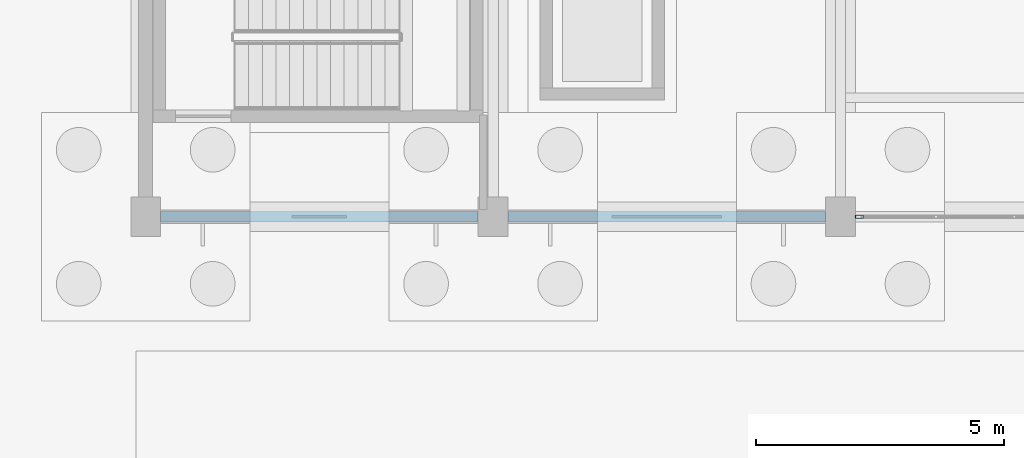
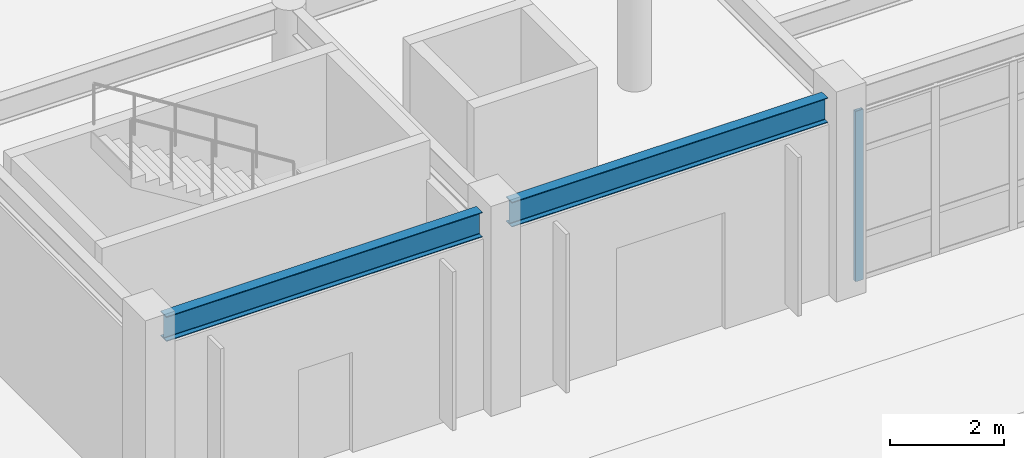
# One storey, part 13 of 154: 2 beams, 1 member, 1 element without a shape of its own.
"""IFC4 building model written with IfcOpenShell, lengths in metres."""

from ifc_helpers import new_model, si_unit, direction, frame, origin, origin_2d, place, context, subcontext, project, spatial, hollow_rectangle, i_section, extrude, material, material_profile, profile_set, type_object, element, aggregate, save


model = new_model("IFC4")

# Units and contexts
model_context = context("Model", 3, precision=1e-05, world=origin(), true_north=direction((0.0, 1.0)))
body_context = subcontext(model_context, "Body", "Model", "MODEL_VIEW")
ifc_project = project(units=[si_unit("LENGTHUNIT", "METRE"), si_unit("AREAUNIT", "SQUARE_METRE"), si_unit("VOLUMEUNIT", "CUBIC_METRE"), si_unit("PLANEANGLEUNIT", "RADIAN"), si_unit("MASSUNIT", "GRAM", prefix="KILO")], contexts=[model_context])

# Site, building, storey
site_placement = place(None, origin())
site = spatial("IfcSite", under=ifc_project, at=site_placement, CompositionType="ELEMENT")
building_placement = place(site_placement, origin())
building = spatial("IfcBuilding", under=site, at=building_placement, Name="Kestramere Prow Commons", CompositionType="ELEMENT")
storey_placement = place(building_placement, origin())
storey = spatial("IfcBuildingStorey", under=building, at=storey_placement, Name="L00", CompositionType="ELEMENT", Elevation=0.0)

# Beams
ifc_material_1 = material(Name="Steel S355JR", Category="steel")
ifc_material_profile_1 = material_profile(ifc_material_1, i_section(OverallWidth=0.209228515625, OverallDepth=0.533203125, WebThickness=0.010009765625, FlangeThickness=0.015625, FilletRadius=0.0126953125, at=origin_2d()), Name="UB 533x210x92")
ifc_profile_set_1 = profile_set([ifc_material_profile_1], Name="Steel S355JR")
beam_type = type_object("IfcBeamType", Name="BM-HL-GAL UB 533x210x92 (EX)", PredefinedType="BEAM", material=ifc_profile_set_1)
for number, where, z_axis, x_axis, name in (
    (1, (2.5, 7.5, 3.933349609375), (1.0, 0.0, 0.0), (0.0, 1.0, 0.0), "Hall South Girder 1"),
    (2, (9.5, 7.5, 3.933349609375), (1.0, 0.0, 0.0), (0.0, 1.0, 0.0), "Hall South Girder 2"),
):
    element("IfcBeam", number, at=place(storey_placement, frame(where, z_axis=z_axis, x_axis=x_axis)), inside=storey, type_object=beam_type, Name=name, PredefinedType="BEAM", context=body_context, shape_type="SweptSolid", body=[
        extrude(i_section(OverallWidth=0.209228515625, OverallDepth=0.533203125, WebThickness=0.010009765625, FlangeThickness=0.015625, FilletRadius=0.0126953125, at=origin_2d()), origin(), (0.0, 0.0, 1.0), 6.39990234375),
    ])

# Curtain wall, member
ifc_material_2 = material(Name="Anodised Aluminium and Low-E Glass", Category="aluminium")
curtain_wall_type = type_object("IfcCurtainWallType", Name="CW-11 Glazed Curtain Wall 6300x3650", PredefinedType="USERDEFINED", material=ifc_material_2)
curtain_wall_placement = place(storey_placement, origin())
curtain_wall = element("IfcCurtainWall", 3, at=curtain_wall_placement, inside=storey, type_object=curtain_wall_type, Name="Hall South Foyer Curtain Wall 3", ObjectType="GLAZED CURTAIN WALL", PredefinedType="USERDEFINED")
ifc_material_3 = material(Name="Anodised Aluminium 6063-T6", Category="aluminium")
ifc_material_profile_2 = material_profile(ifc_material_3, hollow_rectangle(XDim=0.06494140625, YDim=0.159912109375, WallThickness=0.00390625, at=origin_2d()), Name="ALU-MUL 65x160")
ifc_profile_set_2 = profile_set([ifc_material_profile_2], Name="Anodised Aluminium 6063-T6")
member_type = type_object("IfcMemberType", Name="CW-MUL-65x160", PredefinedType="MULLION", material=ifc_profile_set_2)
member_placement = place(storey_placement, frame((16.58251953125, 7.5, 0.0), z_axis=(0.0, 0.0, 1.0), x_axis=(0.0, -1.0, 0.0)))
member = element("IfcMember", 4, at=member_placement, type_object=member_type, Name="CW-11 mullion 5", PredefinedType="MULLION", context=body_context, shape_type="SweptSolid", body=[
    extrude(hollow_rectangle(XDim=0.06494140625, YDim=0.159912109375, WallThickness=0.00390625, at=origin_2d()), origin(), (0.0, 0.0, 1.0), 3.64990234375),
])
aggregate(curtain_wall, [member])

save(model, "model.ifc")
